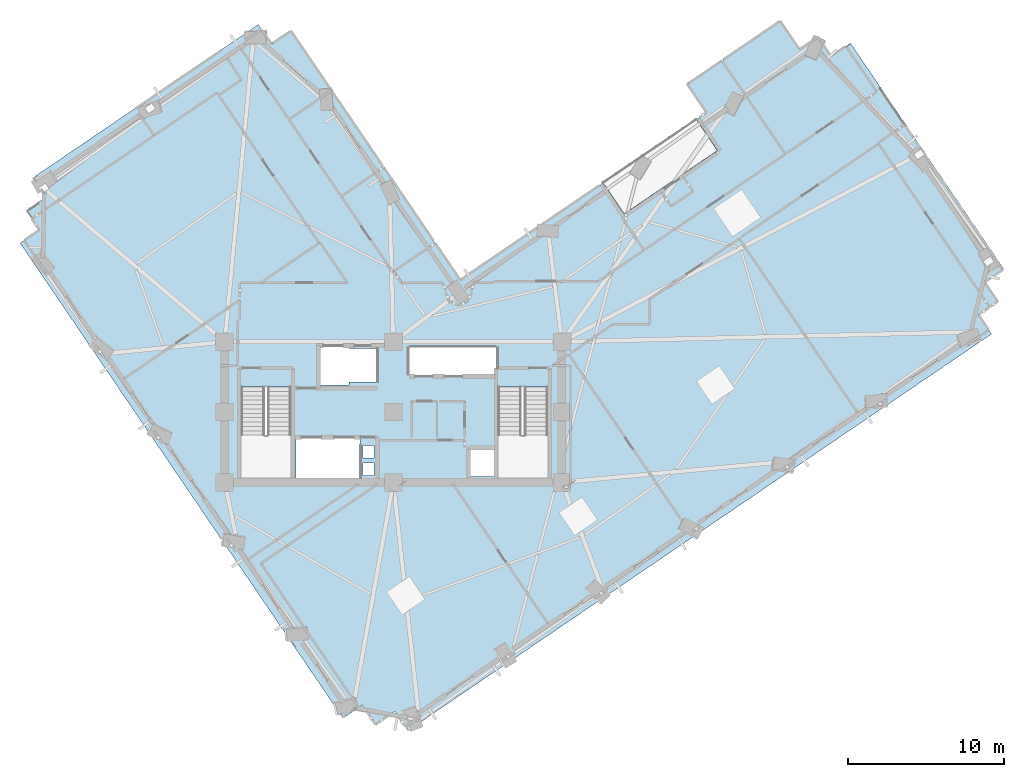
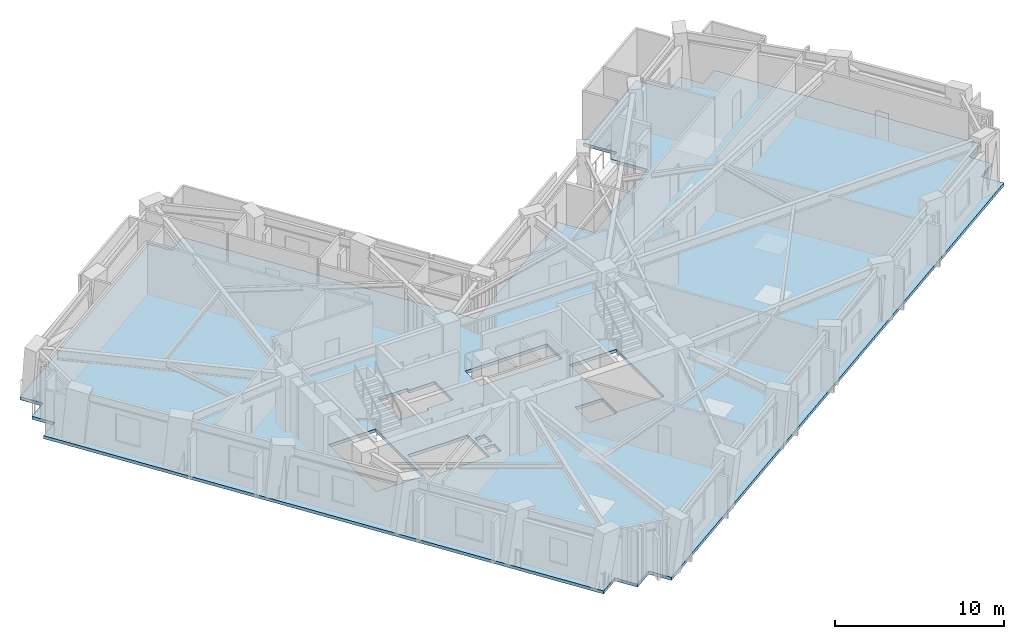
# One storey, part 3 of 16: 1 slab.
"""IFC4 building model written with IfcOpenShell, lengths in metres."""

from ifc_helpers import new_model, si_unit, direction, frame, origin, place, context, subcontext, project, spatial, polyline, outline, extrude, material, layer, layer_set, type_object, element, save


model = new_model("IFC4")

# Units and contexts
model_context = context("Model", 3, precision=1e-05, world=origin(), true_north=direction((0.0, 1.0)))
body_context = subcontext(model_context, "Body", "Model", "MODEL_VIEW")
ifc_project = project(units=[si_unit("LENGTHUNIT", "METRE"), si_unit("AREAUNIT", "SQUARE_METRE"), si_unit("VOLUMEUNIT", "CUBIC_METRE"), si_unit("PLANEANGLEUNIT", "RADIAN"), si_unit("MASSUNIT", "GRAM", prefix="KILO")], contexts=[model_context])

# Site, building, storey
site_placement = place(None, origin())
site = spatial("IfcSite", under=ifc_project, at=site_placement, CompositionType="ELEMENT")
building_placement = place(site_placement, origin())
building = spatial("IfcBuilding", under=site, at=building_placement, Name="Gaonmaruhae Medical Tower", CompositionType="ELEMENT")
storey_placement = place(building_placement, frame((0.0, 0.0, 169.800048828125)))
storey = spatial("IfcBuildingStorey", under=building, at=storey_placement, Name="L40", CompositionType="ELEMENT", Elevation=169.800048828125)

# Slab
ifc_material = material(Name="Concrete C40/50", Category="concrete")
ifc_layer = layer(ifc_material, 0.219970703125)
ifc_layer_set = layer_set([ifc_layer], Name="Concrete C40/50")
slab_type = type_object("IfcSlabType", Name="FS-220 Clinical Ward Composite Floor Slab", PredefinedType="FLOOR", material=ifc_layer_set)
slab_placement = place(storey_placement, frame((0.0, 0.0, -0.219970703125)))
element("IfcSlab", 1, at=slab_placement, inside=storey, type_object=slab_type, Name="L40 Structural Slab 1", PredefinedType="FLOOR", context=body_context, shape_type="SweptSolid", body=[
    extrude(outline(polyline([(52.84033203125, 35.094970703125), (54.0810546875, 35.93798828125), (63.91748046875, 21.464111328125), (62.677001953125, 20.62109375), (63.52001953125, 19.38037109375), (62.279296875, 18.537353515625), (63.12255859375, 17.296630859375), (25.738525390625, -8.109619140625), (24.8955078125, -6.868896484375), (23.65478515625, -7.7119140625), (22.8115234375, -6.471435546875), (21.571044921875, -7.314453125), (0.88623046875, 23.1220703125), (2.126953125, 23.965087890625), (1.28369140625, 25.205810546875), (2.5244140625, 26.048828125), (1.681396484375, 27.28955078125), (16.1552734375, 37.1259765625), (16.998291015625, 35.885498046875), (18.239013671875, 36.728515625), (29.087158203125, 20.765869140625), (38.24462890625, 26.9892578125), (39.593505859375, 25.004150390625), (45.548583984375, 29.05126953125), (44.19970703125, 31.0361328125), (44.861328125, 31.48583984375), (43.624755859375, 33.305419921875), (49.57958984375, 37.3525390625), (50.816162109375, 35.532958984375), (51.997314453125, 36.33544921875), (52.84033203125, 35.094970703125)]), holes=[polyline([(23.550048828125, 8.25), (22.85009765625, 8.25), (22.85009765625, 9.050048828125), (23.550048828125, 9.050048828125), (23.550048828125, 8.25)]), polyline([(31.425048828125, 9.925048828125), (31.425048828125, 8.175048828125), (29.574951171875, 8.175048828125), (29.574951171875, 9.925048828125), (31.425048828125, 9.925048828125)]), polyline([(22.64990234375, 10.625), (22.64990234375, 8.074951171875), (18.550048828125, 8.074951171875), (18.550048828125, 10.625), (22.64990234375, 10.625)]), polyline([(23.550048828125, 9.35009765625), (22.85009765625, 9.35009765625), (22.85009765625, 10.14990234375), (23.550048828125, 10.14990234375), (23.550048828125, 9.35009765625)]), polyline([(15.050048828125, 13.889892578125), (18.25, 13.889892578125), (18.25, 8.300048828125), (15.050048828125, 8.300048828125), (15.050048828125, 13.889892578125)]), polyline([(31.5, 13.889892578125), (34.699951171875, 13.889892578125), (34.699951171875, 8.300048828125), (31.5, 8.300048828125), (31.5, 13.889892578125)]), polyline([(21.949951171875, 14.22509765625), (21.949951171875, 14.02490234375), (19.949951171875, 14.02490234375), (19.949951171875, 16.574951171875), (21.949951171875, 16.574951171875), (21.949951171875, 16.375), (23.72509765625, 16.375), (23.72509765625, 14.22509765625), (21.949951171875, 14.22509765625)]), polyline([(31.425048828125, 16.425048828125), (31.425048828125, 14.675048828125), (25.824951171875, 14.675048828125), (25.824951171875, 16.425048828125), (31.425048828125, 16.425048828125)])]), origin(), (0.0, 0.0, 1.0), 0.219970703125),
])

save(model, "model.ifc")
